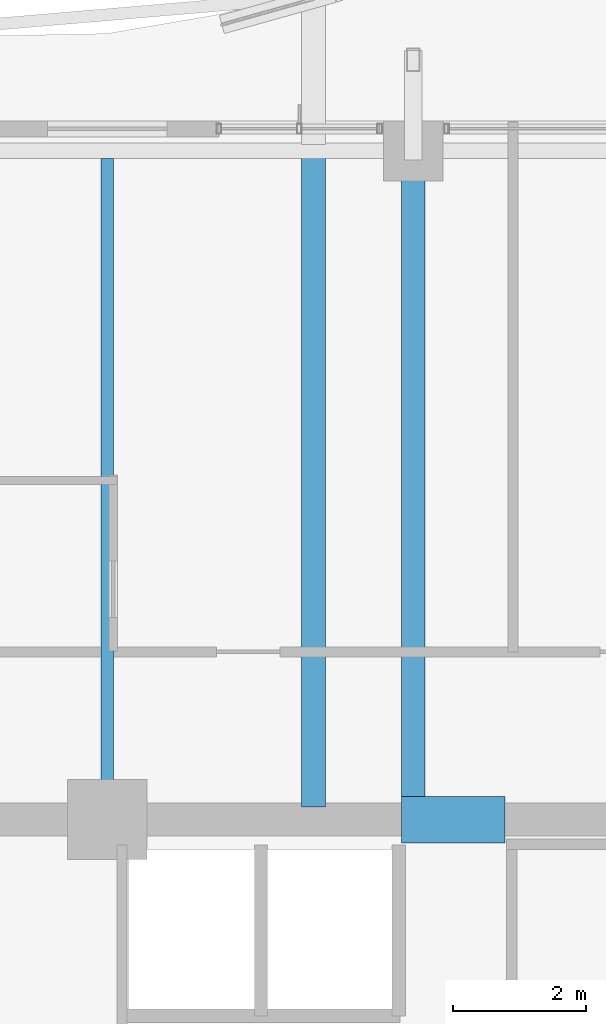
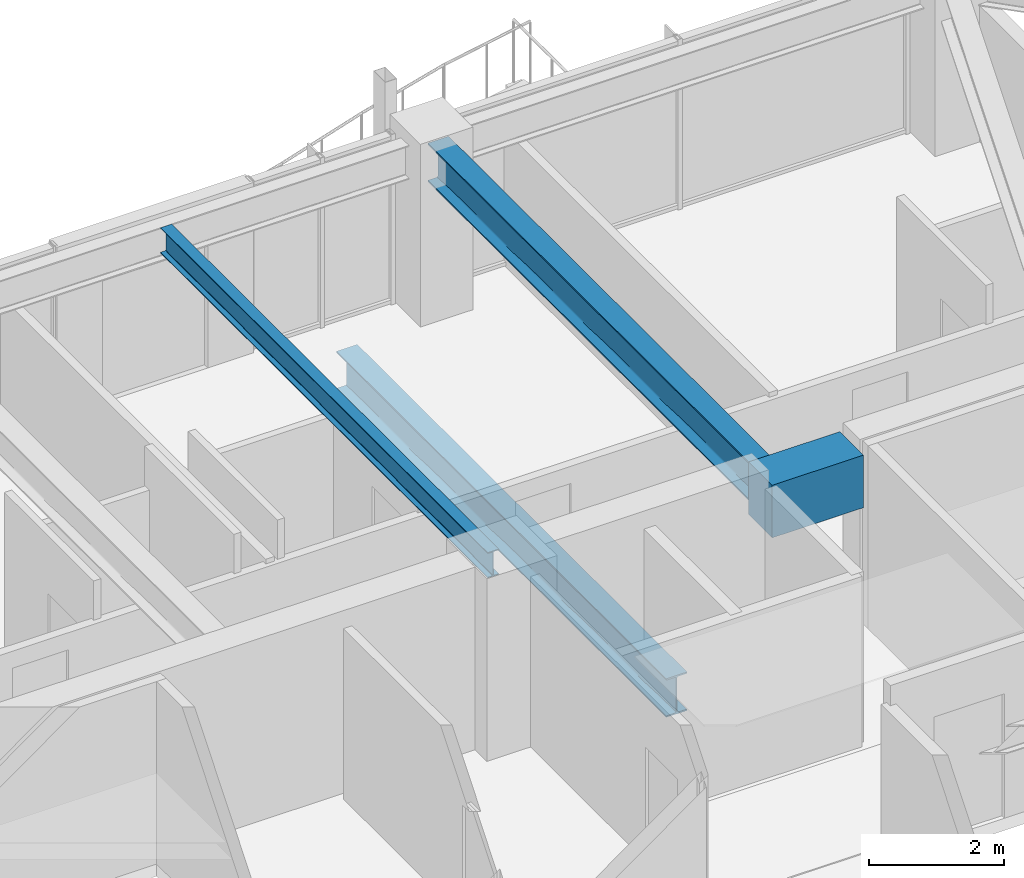
# One storey, part 19 of 37: 4 beams.
"""IFC4 building model written with IfcOpenShell, lengths in metres."""

from ifc_helpers import new_model, si_unit, direction, frame, origin, origin_2d, place, context, subcontext, project, spatial, rectangle, i_section, extrude, material, material_profile, profile_set, type_object, element, save


model = new_model("IFC4")

# Units and contexts
model_context = context("Model", 3, precision=1e-05, world=origin(), true_north=direction((0.0, 1.0)))
body_context = subcontext(model_context, "Body", "Model", "MODEL_VIEW")
ifc_project = project(units=[si_unit("LENGTHUNIT", "METRE"), si_unit("AREAUNIT", "SQUARE_METRE"), si_unit("VOLUMEUNIT", "CUBIC_METRE"), si_unit("PLANEANGLEUNIT", "RADIAN"), si_unit("MASSUNIT", "GRAM", prefix="KILO")], contexts=[model_context])

# Site, building, storey
site_placement = place(None, origin())
site = spatial("IfcSite", under=ifc_project, at=site_placement, CompositionType="ELEMENT")
building_placement = place(site_placement, origin())
building = spatial("IfcBuilding", under=site, at=building_placement, Name="Kolvaren Belvedere", CompositionType="ELEMENT")
storey_placement = place(building_placement, frame((0.0, 0.0, 180.0)))
storey = spatial("IfcBuildingStorey", under=building, at=storey_placement, Name="L52", CompositionType="ELEMENT", Elevation=180.0)

# Beams
ifc_material_1 = material(Name="Structural steel ASTM A992 Grade 50", Category="steel")
ifc_material_profile_1 = material_profile(ifc_material_1, i_section(OverallWidth=0.35498046875, OverallDepth=0.696044921875, WebThickness=0.015380859375, FlangeThickness=0.02490234375, FilletRadius=0.02197265625, at=origin_2d()), Name="W27X146")
ifc_profile_set_1 = profile_set([ifc_material_profile_1], Name="Structural steel ASTM A992 Grade 50")
beam_type_1 = type_object("IfcBeamType", Name="BM-GIRD-W27X146", PredefinedType="BEAM", material=ifc_profile_set_1)
beam_1_placement = place(storey_placement, frame((3.10009765625, 10.090087890625, -0.568115234375), z_axis=(0.0, 1.0, 0.0), x_axis=(-1.0, 0.0, 0.0)))
element("IfcBeam", 1, at=beam_1_placement, inside=storey, type_object=beam_type_1, Name="L52 Balcony Interior Back-Span Girder BAL-N-2", PredefinedType="BEAM", context=body_context, shape_type="SweptSolid", body=[
    extrude(i_section(OverallWidth=0.35498046875, OverallDepth=0.696044921875, WebThickness=0.015380859375, FlangeThickness=0.02490234375, FilletRadius=0.02197265625, at=origin_2d()), origin(), (0.0, 0.0, 1.0), 9.764892578125),
])
beam_2_placement = place(storey_placement, frame((4.60009765625, 10.14990234375, 2.73193359375), z_axis=(0.0, 1.0, 0.0), x_axis=(-1.0, 0.0, 0.0)))
element("IfcBeam", 2, at=beam_2_placement, inside=storey, type_object=beam_type_1, Name="L52 North Radial Girder P", PredefinedType="BEAM", context=body_context, shape_type="SweptSolid", body=[
    extrude(i_section(OverallWidth=0.35498046875, OverallDepth=0.696044921875, WebThickness=0.015380859375, FlangeThickness=0.02490234375, FilletRadius=0.02197265625, at=origin_2d()), origin(), (0.0, 0.0, 1.0), 9.59765625),
])
ifc_material_2 = material(Name="Structural steel ASTM A992 Grade 50", Category="steel")
ifc_material_profile_2 = material_profile(ifc_material_2, i_section(OverallWidth=0.19091796875, OverallDepth=0.4599609375, WebThickness=0.010009765625, FlangeThickness=0.01611328125, FilletRadius=0.014892578125, at=origin_2d()), Name="W18X55")
ifc_profile_set_2 = profile_set([ifc_material_profile_2], Name="Structural steel ASTM A992 Grade 50")
beam_type_2 = type_object("IfcBeamType", Name="BM-JOIST-W18X55", PredefinedType="BEAM", material=ifc_profile_set_2)
beam_3_placement = place(storey_placement, frame((0.0, 10.14990234375, 2.85009765625), z_axis=(0.0, 1.0, 0.0), x_axis=(-1.0, 0.0, 0.0)))
element("IfcBeam", 3, at=beam_3_placement, inside=storey, type_object=beam_type_2, Name="L52 North Centre Floor Beam", PredefinedType="BEAM", context=body_context, shape_type="SweptSolid", body=[
    extrude(i_section(OverallWidth=0.19091796875, OverallDepth=0.4599609375, WebThickness=0.010009765625, FlangeThickness=0.01611328125, FilletRadius=0.014892578125, at=origin_2d()), origin(), (0.0, 0.0, 1.0), 9.685546875),
])
ifc_material_3 = material(Name="Concrete C60/75", Category="concrete")
ifc_material_profile_3 = material_profile(ifc_material_3, rectangle(XDim=0.699951171875, YDim=0.949951171875, at=origin_2d()), Name="RC 700X950")
ifc_profile_set_3 = profile_set([ifc_material_profile_3], Name="Concrete C60/75")
beam_type_3 = type_object("IfcBeamType", Name="BM-LINT-950", PredefinedType="LINTEL", material=ifc_profile_set_3)
beam_4_placement = place(storey_placement, frame((4.419921875, 9.89990234375, 2.60498046875), z_axis=(1.0, 0.0, 0.0), x_axis=(0.0, 1.0, 0.0)))
element("IfcBeam", 4, at=beam_4_placement, inside=storey, type_object=beam_type_3, Name="L52 North Core Coupling Lintel", PredefinedType="LINTEL", context=body_context, shape_type="SweptSolid", body=[
    extrude(rectangle(XDim=0.699951171875, YDim=0.949951171875, at=origin_2d()), origin(), (0.0, 0.0, 1.0), 1.56005859375),
])

save(model, "model.ifc")
